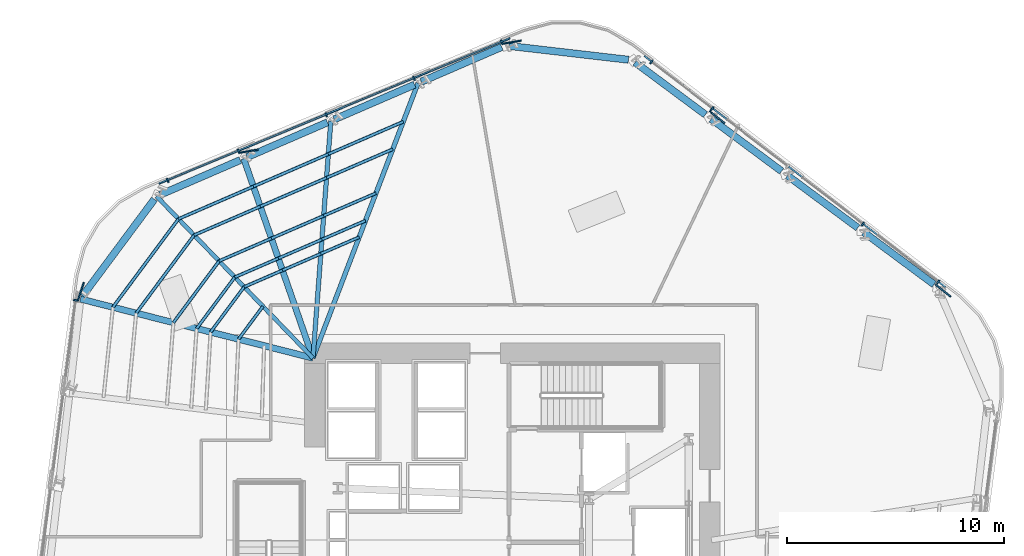
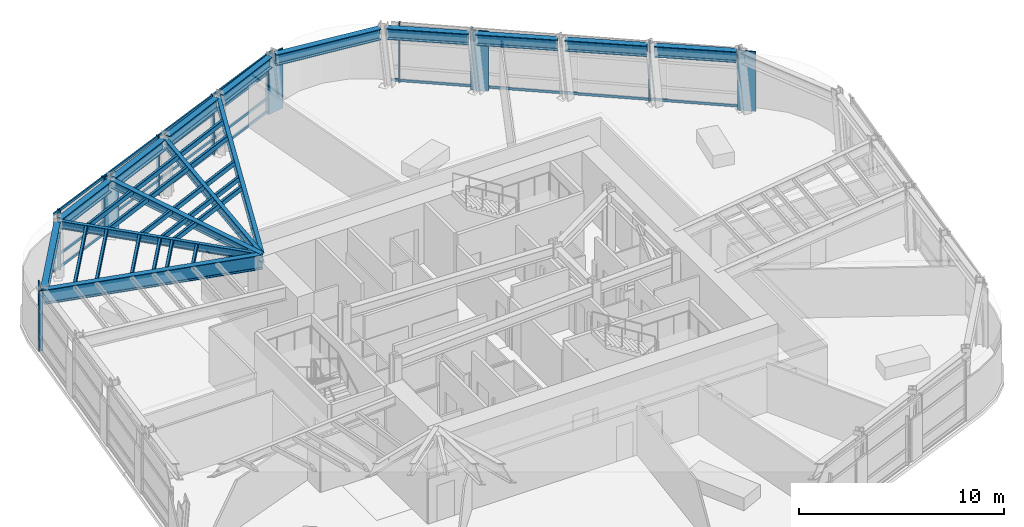
# One storey, part 6 of 18: 41 members, 15 beams, 3 elements without a shape of their own.
"""IFC4 building model written with IfcOpenShell, lengths in metres."""

from ifc_helpers import new_model, si_unit, direction, frame, origin, origin_2d, place, context, subcontext, project, spatial, rectangle, hollow_rectangle, i_section, extrude, material, layer, layer_set, material_profile, profile_set, type_object, element, aggregate, save


model = new_model("IFC4")

# Units and contexts
model_context = context("Model", 3, precision=1e-05, world=origin(), true_north=direction((0.0, 1.0)))
body_context = subcontext(model_context, "Body", "Model", "MODEL_VIEW")
ifc_project = project(units=[si_unit("LENGTHUNIT", "METRE"), si_unit("AREAUNIT", "SQUARE_METRE"), si_unit("VOLUMEUNIT", "CUBIC_METRE"), si_unit("PLANEANGLEUNIT", "RADIAN"), si_unit("MASSUNIT", "GRAM", prefix="KILO")], contexts=[model_context])

# Site, building, storey
site_placement = place(None, origin())
site = spatial("IfcSite", under=ifc_project, at=site_placement, CompositionType="ELEMENT")
building_placement = place(site_placement, origin())
building = spatial("IfcBuilding", under=site, at=building_placement, Name="Valkerne Bourse Tower", CompositionType="ELEMENT")
storey_placement = place(building_placement, frame((0.0, 0.0, 120.0)))
storey = spatial("IfcBuildingStorey", under=building, at=storey_placement, Name="L30", CompositionType="ELEMENT", Elevation=120.0)

# Beams
ifc_material_1 = material(Name="Steel ASTM A992", Category="steel")
ifc_material_profile_1 = material_profile(ifc_material_1, i_section(OverallWidth=0.1904296875, OverallDepth=0.457275390625, WebThickness=0.009033203125, FlangeThickness=0.014404296875, FilletRadius=0.01513671875, at=origin_2d()), Name="W18X50")
ifc_profile_set_1 = profile_set([ifc_material_profile_1], Name="Steel ASTM A992")
beam_type_1 = type_object("IfcBeamType", Name="BM-W18X50", PredefinedType="JOIST", material=ifc_profile_set_1)
beam_1_placement = place(storey_placement, frame((30.3798828125, 42.8720703125, 3.351318359375), z_axis=(0.694878757127, -0.719126910145, 0.0), x_axis=(0.719126910145, 0.694878757127, 0.0)))
element("IfcBeam", 1, at=beam_1_placement, inside=storey, type_object=beam_type_1, Name="L30 Radial Composite Floor Beam 09", PredefinedType="JOIST", context=body_context, shape_type="SweptSolid", body=[
    extrude(i_section(OverallWidth=0.1904296875, OverallDepth=0.457275390625, WebThickness=0.009033203125, FlangeThickness=0.014404296875, FilletRadius=0.01513671875, at=origin_2d()), origin(), (0.0, 0.0, 1.0), 10.390625),
])
ifc_material_profile_2 = material_profile(ifc_material_1, i_section(OverallWidth=0.279296875, OverallDepth=0.46240234375, WebThickness=0.0107421875, FlangeThickness=0.017333984375, FilletRadius=0.017822265625, at=origin_2d()), Name="W18X76")
ifc_profile_set_2 = profile_set([ifc_material_profile_2], Name="Steel ASTM A992")
beam_type_2 = type_object("IfcBeamType", Name="BM-W18X76", PredefinedType="BEAM", material=ifc_profile_set_2)
beam_2_placement = place(storey_placement, frame((34.402587890625, 44.61279296875, 3.348876953125), z_axis=(0.32788260233, -0.944718476103, 0.0), x_axis=(0.944718476103, 0.32788260233, 0.0)))
element("IfcBeam", 2, at=beam_2_placement, inside=storey, type_object=beam_type_2, Name="L30 Radial Composite Floor Beam 08", PredefinedType="BEAM", context=body_context, shape_type="SweptSolid", body=[
    extrude(i_section(OverallWidth=0.279296875, OverallDepth=0.46240234375, WebThickness=0.0107421875, FlangeThickness=0.017333984375, FilletRadius=0.017822265625, at=origin_2d()), origin(), (0.0, 0.0, 1.0), 9.751953125),
])
ifc_material_profile_3 = material_profile(ifc_material_1, i_section(OverallWidth=0.209228515625, OverallDepth=0.533447265625, WebThickness=0.01025390625, FlangeThickness=0.015625, FilletRadius=0.017822265625, at=origin_2d()), Name="W21X62")
ifc_profile_set_3 = profile_set([ifc_material_profile_3], Name="Steel ASTM A992")
beam_type_3 = type_object("IfcBeamType", Name="BM-W21X62", PredefinedType="JOIST", material=ifc_profile_set_3)
beam_3_placement = place(storey_placement, frame((38.425048828125, 46.353515625, 3.313232421875), z_axis=(-0.07510046829, -0.997175972265, 0.0), x_axis=(0.997175972265, -0.07510046829, 0.0)))
element("IfcBeam", 3, at=beam_3_placement, inside=storey, type_object=beam_type_3, Name="L30 Radial Composite Floor Beam 07", PredefinedType="JOIST", context=body_context, shape_type="SweptSolid", body=[
    extrude(i_section(OverallWidth=0.209228515625, OverallDepth=0.533447265625, WebThickness=0.01025390625, FlangeThickness=0.015625, FilletRadius=0.017822265625, at=origin_2d()), origin(), (0.0, 0.0, 1.0), 10.984619140625),
])
ifc_material_profile_4 = material_profile(ifc_material_1, i_section(OverallWidth=0.2138671875, OverallDepth=0.548583984375, WebThickness=0.0146484375, FlangeThickness=0.023681640625, FilletRadius=0.017822265625, at=origin_2d()), Name="W21X93")
ifc_profile_set_4 = profile_set([ifc_material_profile_4], Name="Steel ASTM A992")
beam_type_4 = type_object("IfcBeamType", Name="BM-W21X93", PredefinedType="BEAM", material=ifc_profile_set_4)
beam_4_placement = place(storey_placement, frame((42.447509765625, 48.093994140625, 3.3056640625), z_axis=(-0.356738629816, -0.934204233558, 0.0), x_axis=(0.934204233558, -0.356738629816, 0.0)))
element("IfcBeam", 4, at=beam_4_placement, inside=storey, type_object=beam_type_4, Name="L30 Radial Composite Floor Beam 06", PredefinedType="BEAM", context=body_context, shape_type="SweptSolid", body=[
    extrude(i_section(OverallWidth=0.2138671875, OverallDepth=0.548583984375, WebThickness=0.0146484375, FlangeThickness=0.023681640625, FilletRadius=0.017822265625, at=origin_2d()), origin(), (0.0, 0.0, 1.0), 13.588134765625),
])
ifc_material_profile_5 = material_profile(ifc_material_1, i_section(OverallWidth=0.330078125, OverallDepth=0.647705078125, WebThickness=0.0205078125, FlangeThickness=0.037109375, FilletRadius=0.020263671875, at=origin_2d()), Name="W24X192")
ifc_profile_set_5 = profile_set([ifc_material_profile_5], Name="Steel ASTM A992")
beam_type_5 = type_object("IfcBeamType", Name="BM-W24X192", PredefinedType="SPANDREL", material=ifc_profile_set_5)
beam_5_placement = place(storey_placement, frame((66.27392578125, 38.804443359375, 3.256103515625), z_axis=(-0.80281735116, 0.596225041974, 0.0), x_axis=(-0.596225041974, -0.80281735116, 0.0)))
element("IfcBeam", 5, at=beam_5_placement, inside=storey, type_object=beam_type_5, Name="L30 Hexagonal Spandrel Ring Beam 00", PredefinedType="SPANDREL", context=body_context, shape_type="SweptSolid", body=[
    extrude(i_section(OverallWidth=0.330078125, OverallDepth=0.647705078125, WebThickness=0.0205078125, FlangeThickness=0.037109375, FilletRadius=0.020263671875, at=origin_2d()), origin(), (0.0, 0.0, 1.0), 4.042724609375),
])
for number, where, z_axis, x_axis, name in (
    (6, (62.75537109375, 41.417724609375, 3.256103515625), (-0.8028388171, 0.596196136986, 0.0), (-0.596196136986, -0.8028388171, 0.0), "L30 Hexagonal Spandrel Ring Beam 01"),
    (7, (59.236572265625, 44.031005859375, 3.256103515625), (-0.8028388171, 0.596196136986, 0.0), (-0.596196136986, -0.8028388171, 0.0), "L30 Hexagonal Spandrel Ring Beam 02"),
    (8, (55.7177734375, 46.644287109375, 3.256103515625), (-0.8028388171, 0.596196136986, 0.0), (-0.596196136986, -0.8028388171, 0.0), "L30 Hexagonal Spandrel Ring Beam 03"),
):
    element("IfcBeam", number, at=place(storey_placement, frame(where, z_axis=z_axis, x_axis=x_axis)), inside=storey, type_object=beam_type_5, Name=name, PredefinedType="SPANDREL", context=body_context, shape_type="SweptSolid", body=[
        extrude(i_section(OverallWidth=0.330078125, OverallDepth=0.647705078125, WebThickness=0.0205078125, FlangeThickness=0.037109375, FilletRadius=0.020263671875, at=origin_2d()), origin(), (0.0, 0.0, 1.0), 4.04296875),
    ])
beam_6_placement = place(storey_placement, frame((52.16650390625, 49.175537109375, 3.256103515625), z_axis=(-0.993371027611, 0.114952170502, 0.0), x_axis=(-0.114952170502, -0.993371027611, 0.0)))
element("IfcBeam", 9, at=beam_6_placement, inside=storey, type_object=beam_type_5, Name="L30 Hexagonal Spandrel Ring Beam 04", PredefinedType="SPANDREL", context=body_context, shape_type="SweptSolid", body=[
    extrude(i_section(OverallWidth=0.330078125, OverallDepth=0.647705078125, WebThickness=0.0205078125, FlangeThickness=0.037109375, FilletRadius=0.020263671875, at=origin_2d()), origin(), (0.0, 0.0, 1.0), 5.564453125),
])
beam_7_placement = place(storey_placement, frame((46.314208984375, 49.76708984375, 3.256103515625), z_axis=(-0.917780916296, -0.397087131098, 0.0), x_axis=(0.397087131098, -0.917780916296, 0.0)))
element("IfcBeam", 10, at=beam_7_placement, inside=storey, type_object=beam_type_5, Name="L30 Hexagonal Spandrel Ring Beam 05", PredefinedType="SPANDREL", context=body_context, shape_type="SweptSolid", body=[
    extrude(i_section(OverallWidth=0.330078125, OverallDepth=0.647705078125, WebThickness=0.0205078125, FlangeThickness=0.037109375, FilletRadius=0.020263671875, at=origin_2d()), origin(), (0.0, 0.0, 1.0), 4.043212890625),
])
for number, where, z_axis, x_axis, name in (
    (11, (42.29150390625, 48.026611328125, 3.256103515625), (-0.917749384733, -0.397160001539, 0.0), (0.397160001539, -0.917749384733, 0.0), "L30 Hexagonal Spandrel Ring Beam 06"),
    (12, (38.26904296875, 46.285888671875, 3.256103515625), (-0.917749384733, -0.397160001539, 0.0), (0.397160001539, -0.917749384733, 0.0), "L30 Hexagonal Spandrel Ring Beam 07"),
):
    element("IfcBeam", number, at=place(storey_placement, frame(where, z_axis=z_axis, x_axis=x_axis)), inside=storey, type_object=beam_type_5, Name=name, PredefinedType="SPANDREL", context=body_context, shape_type="SweptSolid", body=[
        extrude(i_section(OverallWidth=0.330078125, OverallDepth=0.647705078125, WebThickness=0.0205078125, FlangeThickness=0.037109375, FilletRadius=0.020263671875, at=origin_2d()), origin(), (0.0, 0.0, 1.0), 4.04296875),
    ])
beam_8_placement = place(storey_placement, frame((34.24658203125, 44.545166015625, 3.256103515625), z_axis=(-0.917758909022, -0.397137992278, 0.0), x_axis=(0.397137992278, -0.917758909022, 0.0)))
element("IfcBeam", 13, at=beam_8_placement, inside=storey, type_object=beam_type_5, Name="L30 Hexagonal Spandrel Ring Beam 08", PredefinedType="SPANDREL", context=body_context, shape_type="SweptSolid", body=[
    extrude(i_section(OverallWidth=0.330078125, OverallDepth=0.647705078125, WebThickness=0.0205078125, FlangeThickness=0.037109375, FilletRadius=0.020263671875, at=origin_2d()), origin(), (0.0, 0.0, 1.0), 4.043212890625),
])
beam_9_placement = place(storey_placement, frame((30.278564453125, 42.735595703125, 3.256103515625), z_axis=(-0.59621655894, -0.80282365115, 0.0), x_axis=(0.80282365115, -0.59621655894, 0.0)))
element("IfcBeam", 14, at=beam_9_placement, inside=storey, type_object=beam_type_5, Name="L30 Hexagonal Spandrel Ring Beam 09", PredefinedType="SPANDREL", context=body_context, shape_type="SweptSolid", body=[
    extrude(i_section(OverallWidth=0.330078125, OverallDepth=0.647705078125, WebThickness=0.0205078125, FlangeThickness=0.037109375, FilletRadius=0.020263671875, at=origin_2d()), origin(), (0.0, 0.0, 1.0), 5.564453125),
])
ifc_material_profile_6 = material_profile(ifc_material_1, i_section(OverallWidth=0.2919921875, OverallDepth=0.8583984375, WebThickness=0.01708984375, FlangeThickness=0.031005859375, FilletRadius=0.025390625, at=origin_2d()), Name="W33X169")
ifc_profile_set_6 = profile_set([ifc_material_profile_6], Name="Steel ASTM A992")
beam_type_6 = type_object("IfcBeamType", Name="BM-W33X169", PredefinedType="BEAM", material=ifc_profile_set_6)
beam_10_placement = place(storey_placement, frame((26.859619140625, 38.131591796875, 3.15087890625), z_axis=(0.969145700857, -0.246488560609, 0.0), x_axis=(0.246488560609, 0.969145700857, 0.0)))
element("IfcBeam", 15, at=beam_10_placement, inside=storey, type_object=beam_type_6, Name="L30 Radial Composite Floor Beam 10", PredefinedType="BEAM", context=body_context, shape_type="SweptSolid", body=[
    extrude(i_section(OverallWidth=0.2919921875, OverallDepth=0.8583984375, WebThickness=0.01708984375, FlangeThickness=0.031005859375, FilletRadius=0.025390625, at=origin_2d()), origin(), (0.0, 0.0, 1.0), 11.08251953125),
])

# Curtain wall, members
ifc_material_2 = material(Name="Aluminium AA 6063-T6", Category="aluminium")
ifc_layer = layer(ifc_material_2, 0.22998046875)
ifc_layer_set = layer_set([ifc_layer], Name="Aluminium AA 6063-T6")
curtain_wall_type = type_object("IfcCurtainWallType", Name="CW-02", PredefinedType="NOTDEFINED", material=ifc_layer_set)
curtain_wall_1_placement = place(storey_placement, origin())
curtain_wall_1 = element("IfcCurtainWall", 16, at=curtain_wall_1_placement, inside=storey, type_object=curtain_wall_type, Name="L30 Hexagonal Stick Curtain Wall Face 1", PredefinedType="NOTDEFINED")
ifc_material_profile_7 = material_profile(ifc_material_2, rectangle(XDim=0.074951171875, YDim=0.199951171875, at=origin_2d()), Name="CWM-75X200")
ifc_profile_set_7 = profile_set([ifc_material_profile_7], Name="Aluminium AA 6063-T6")
member_type_1 = type_object("IfcMemberType", Name="CW-MUL-220X75", PredefinedType="MULLION", material=ifc_profile_set_7)
member_1_placement = place(storey_placement, frame((66.4658203125, 38.9189453125, 0.0), z_axis=(0.0, 0.0, 1.0), x_axis=(-0.793347764857, 0.608768694987, 0.0)))
member_1 = element("IfcMember", 17, at=member_1_placement, type_object=member_type_1, Name="CW-L30-F1 Jamb Mullion 00A", PredefinedType="MULLION", context=body_context, shape_type="SweptSolid", body=[
    extrude(rectangle(XDim=0.074951171875, YDim=0.199951171875, at=origin_2d()), origin(), (0.0, 0.0, 1.0), 3.580078125),
])
member_2_placement = place(storey_placement, frame((62.988525390625, 41.587158203125, 0.0), z_axis=(0.0, 0.0, 1.0), x_axis=(-0.793356220117, 0.608757675929, 0.0)))
member_2 = element("IfcMember", 18, at=member_2_placement, type_object=member_type_1, Name="CW-L30-F1 Jamb Mullion 01A", PredefinedType="MULLION", context=body_context, shape_type="SweptSolid", body=[
    extrude(rectangle(XDim=0.074951171875, YDim=0.199951171875, at=origin_2d()), origin(), (0.0, 0.0, 1.0), 3.580078125),
])
member_3_placement = place(storey_placement, frame((56.033935546875, 46.923583984375, 0.0), z_axis=(0.0, 0.0, 1.0), x_axis=(-0.793347764857, 0.608768694987, 0.0)))
member_3 = element("IfcMember", 19, at=member_3_placement, type_object=member_type_1, Name="CW-L30-F1 Jamb Mullion 03A", PredefinedType="MULLION", context=body_context, shape_type="SweptSolid", body=[
    extrude(rectangle(XDim=0.074951171875, YDim=0.199951171875, at=origin_2d()), origin(), (0.0, 0.0, 1.0), 3.580078125),
])
member_4_placement = place(storey_placement, frame((53.22314453125, 49.08056640625, 0.0), z_axis=(0.0, 0.0, 1.0), x_axis=(-0.793347764857, 0.608768694987, 0.0)))
member_4 = element("IfcMember", 20, at=member_4_placement, type_object=member_type_1, Name="CW-L30-F1 Jamb Mullion 03B", PredefinedType="MULLION", context=body_context, shape_type="SweptSolid", body=[
    extrude(rectangle(XDim=0.074951171875, YDim=0.199951171875, at=origin_2d()), origin(), (0.0, 0.0, 1.0), 3.580078125),
])

curtain_wall_2_placement = place(storey_placement, origin())
curtain_wall_2 = element("IfcCurtainWall", 21, at=curtain_wall_2_placement, inside=storey, type_object=curtain_wall_type, Name="L30 Hexagonal Stick Curtain Wall Face 2", PredefinedType="NOTDEFINED")
member_5_placement = place(storey_placement, frame((46.310791015625, 49.990478515625, 0.0), z_axis=(0.0, 0.0, 1.0), x_axis=(-0.923880855352, -0.382680238729, 0.0)))
member_5 = element("IfcMember", 22, at=member_5_placement, type_object=member_type_1, Name="CW-L30-F2 Jamb Mullion 00A", PredefinedType="MULLION", context=body_context, shape_type="SweptSolid", body=[
    extrude(rectangle(XDim=0.074951171875, YDim=0.199951171875, at=origin_2d()), origin(), (0.0, 0.0, 1.0), 3.580078125),
])
member_6_placement = place(storey_placement, frame((42.26123046875, 48.313232421875, 0.0), z_axis=(0.0, 0.0, 1.0), x_axis=(-0.923877514085, -0.38268830524, 0.0)))
member_6 = element("IfcMember", 23, at=member_6_placement, type_object=member_type_1, Name="CW-L30-F2 Jamb Mullion 01A", PredefinedType="MULLION", context=body_context, shape_type="SweptSolid", body=[
    extrude(rectangle(XDim=0.074951171875, YDim=0.199951171875, at=origin_2d()), origin(), (0.0, 0.0, 1.0), 3.580078125),
])
member_7_placement = place(storey_placement, frame((38.2119140625, 46.635986328125, 0.0), z_axis=(0.0, 0.0, 1.0), x_axis=(-0.923880855352, -0.382680238729, 0.0)))
member_7 = element("IfcMember", 24, at=member_7_placement, type_object=member_type_1, Name="CW-L30-F2 Jamb Mullion 02A", PredefinedType="MULLION", context=body_context, shape_type="SweptSolid", body=[
    extrude(rectangle(XDim=0.074951171875, YDim=0.199951171875, at=origin_2d()), origin(), (0.0, 0.0, 1.0), 3.580078125),
])
member_8_placement = place(storey_placement, frame((34.16259765625, 44.95849609375, 0.0), z_axis=(0.0, 0.0, 1.0), x_axis=(-0.923877514085, -0.38268830524, 0.0)))
member_8 = element("IfcMember", 25, at=member_8_placement, type_object=member_type_1, Name="CW-L30-F2 Jamb Mullion 03A", PredefinedType="MULLION", context=body_context, shape_type="SweptSolid", body=[
    extrude(rectangle(XDim=0.074951171875, YDim=0.199951171875, at=origin_2d()), origin(), (0.0, 0.0, 1.0), 3.580078125),
])
member_9_placement = place(storey_placement, frame((30.889404296875, 43.602783203125, 0.0), z_axis=(0.0, 0.0, 1.0), x_axis=(-0.923877514085, -0.38268830524, 0.0)))
member_9 = element("IfcMember", 26, at=member_9_placement, type_object=member_type_1, Name="CW-L30-F2 Jamb Mullion 03B", PredefinedType="MULLION", context=body_context, shape_type="SweptSolid", body=[
    extrude(rectangle(XDim=0.074951171875, YDim=0.199951171875, at=origin_2d()), origin(), (0.0, 0.0, 1.0), 3.580078125),
])

# Curtain wall, member
curtain_wall_3_placement = place(storey_placement, origin())
curtain_wall_3 = element("IfcCurtainWall", 27, at=curtain_wall_3_placement, inside=storey, type_object=curtain_wall_type, Name="L30 Hexagonal Stick Curtain Wall Face 3", PredefinedType="NOTDEFINED")
member_10_placement = place(storey_placement, frame((26.64501953125, 38.071533203125, 0.0), z_axis=(0.0, 0.0, 1.0), x_axis=(-0.130527105368, -0.991444741155, 0.0)))
member_10 = element("IfcMember", 28, at=member_10_placement, type_object=member_type_1, Name="CW-L30-F3 Jamb Mullion 00A", PredefinedType="MULLION", context=body_context, shape_type="SweptSolid", body=[
    extrude(rectangle(XDim=0.074951171875, YDim=0.199951171875, at=origin_2d()), origin(), (0.0, 0.0, 1.0), 3.580078125),
])
aggregate(curtain_wall_3, [member_10])

# Member
ifc_material_profile_8 = material_profile(ifc_material_2, rectangle(XDim=0.074951171875, YDim=0.14990234375, at=origin_2d()), Name="CWT-75X150")
ifc_profile_set_8 = profile_set([ifc_material_profile_8], Name="Aluminium AA 6063-T6")
member_type_2 = type_object("IfcMemberType", Name="CW-TRN-180X65", PredefinedType="USERDEFINED", material=ifc_profile_set_8)
member_11_placement = place(storey_placement, frame((66.81103515625, 38.67919921875, 0.1201171875), z_axis=(-0.793349209689, 0.608766812076, 0.0), x_axis=(-0.608766812076, -0.793349209689, 0.0)))
member_11 = element("IfcMember", 29, at=member_11_placement, type_object=member_type_2, Name="CW-L30-F1 Continuous Face Transom 1", ObjectType="TRANSOM", PredefinedType="USERDEFINED", context=body_context, shape_type="SweptSolid", body=[
    extrude(rectangle(XDim=0.074951171875, YDim=0.14990234375, at=origin_2d()), origin(), (0.0, 0.0, 1.0), 17.531982421875),
])

aggregate(curtain_wall_1, [member_11, member_1, member_2, member_3, member_4])

member_12_placement = place(storey_placement, frame((46.69091796875, 50.169677734375, 0.1201171875), z_axis=(-0.923877487217, -0.382688370105, 0.0), x_axis=(0.382688370105, -0.923877487217, 0.0)))
member_12 = element("IfcMember", 30, at=member_12_placement, type_object=member_type_2, Name="CW-L30-F2 Continuous Face Transom 1", ObjectType="TRANSOM", PredefinedType="USERDEFINED", context=body_context, shape_type="SweptSolid", body=[
    extrude(rectangle(XDim=0.074951171875, YDim=0.14990234375, at=origin_2d()), origin(), (0.0, 0.0, 1.0), 17.53173828125),
])

member_13_placement = place(storey_placement, frame((46.69091796875, 50.169677734375, 0.89990234375), z_axis=(-0.923877487217, -0.382688370105, 0.0), x_axis=(0.382688370105, -0.923877487217, 0.0)))
member_13 = element("IfcMember", 31, at=member_13_placement, type_object=member_type_2, Name="CW-L30-F2 Continuous Face Transom 2", ObjectType="TRANSOM", PredefinedType="USERDEFINED", context=body_context, shape_type="SweptSolid", body=[
    extrude(rectangle(XDim=0.074951171875, YDim=0.14990234375, at=origin_2d()), origin(), (0.0, 0.0, 1.0), 17.53173828125),
])

member_14_placement = place(storey_placement, frame((46.69091796875, 50.169677734375, 2.39990234375), z_axis=(-0.923877487217, -0.382688370105, 0.0), x_axis=(0.382688370105, -0.923877487217, 0.0)))
member_14 = element("IfcMember", 32, at=member_14_placement, type_object=member_type_2, Name="CW-L30-F2 Continuous Face Transom 3", ObjectType="TRANSOM", PredefinedType="USERDEFINED", context=body_context, shape_type="SweptSolid", body=[
    extrude(rectangle(XDim=0.074951171875, YDim=0.14990234375, at=origin_2d()), origin(), (0.0, 0.0, 1.0), 17.53173828125),
])

member_15_placement = place(storey_placement, frame((46.69091796875, 50.169677734375, 3.5), z_axis=(-0.923877487217, -0.382688370105, 0.0), x_axis=(0.382688370105, -0.923877487217, 0.0)))
member_15 = element("IfcMember", 33, at=member_15_placement, type_object=member_type_2, Name="CW-L30-F2 Continuous Face Transom 4", ObjectType="TRANSOM", PredefinedType="USERDEFINED", context=body_context, shape_type="SweptSolid", body=[
    extrude(rectangle(XDim=0.074951171875, YDim=0.14990234375, at=origin_2d()), origin(), (0.0, 0.0, 1.0), 17.53173828125),
])

aggregate(curtain_wall_2, [member_12, member_13, member_14, member_15, member_5, member_6, member_7, member_8, member_9])

# Members
ifc_material_3 = material(Name="Bronze Anodised Aluminium AA 6063-T6", Category="aluminium")
ifc_material_profile_9 = material_profile(ifc_material_3, rectangle(XDim=0.070068359375, YDim=0.89990234375, at=origin_2d()), Name="FIN-70X900")
ifc_profile_set_9 = profile_set([ifc_material_profile_9], Name="Bronze Anodised Aluminium AA 6063-T6")
member_type_3 = type_object("IfcMemberType", Name="FIN-SOLAR-900", PredefinedType="USERDEFINED", material=ifc_profile_set_9)
for number, where, z_axis, x_axis, name in (
    (34, (66.689208984375, 38.5205078125, 0.00390625), (0.0, 0.0, 1.0), (0.633755784754, 0.773533195985, 0.0), "L30 Bronze Anodised Solar Fin F1-00"),
    (35, (56.257568359375, 46.525146484375, 0.00390625), (0.0, 0.0, 1.0), (0.633755784754, 0.773533195985, 0.0), "L30 Bronze Anodised Solar Fin F1-03"),
    (36, (46.767578125, 49.98486328125, 0.00390625), (0.0, 0.0, 1.0), (-0.166175130831, 0.986096255897, 0.0), "L30 Bronze Anodised Solar Fin F2-00"),
    (37, (34.619384765625, 44.952880859375, 0.00390625), (0.0, 0.0, 1.0), (-0.166182935501, 0.986094940636, 0.0), "L30 Bronze Anodised Solar Fin F2-03"),
    (38, (26.87841796875, 38.46435546875, 0.00390625), (0.0, 0.0, 1.0), (-0.947729393579, 0.319075220828, 0.0), "L30 Bronze Anodised Solar Fin F3-00"),
):
    element("IfcMember", number, at=place(storey_placement, frame(where, z_axis=z_axis, x_axis=x_axis)), inside=storey, type_object=member_type_3, Name=name, ObjectType="SOLAR_FIN", PredefinedType="USERDEFINED", context=body_context, shape_type="SweptSolid", body=[
        extrude(rectangle(XDim=0.070068359375, YDim=0.89990234375, at=origin_2d()), origin(), (0.0, 0.0, 1.0), 3.572021484375),
    ])
ifc_material_4 = material(Name="Steel ASTM A500 Grade C", Category="steel")
ifc_material_profile_10 = material_profile(ifc_material_4, hollow_rectangle(XDim=0.14990234375, YDim=0.300048828125, WallThickness=0.012451171875, OuterFilletRadius=0.02490234375, at=origin_2d()), Name="HSS300X150X12.5")
ifc_profile_set_10 = profile_set([ifc_material_profile_10], Name="Steel ASTM A500 Grade C")
member_type_4 = type_object("IfcMemberType", Name="MBR-HSS300X150X12.5", PredefinedType="PURLIN", material=ifc_profile_set_10)
member_16_placement = place(storey_placement, frame((35.28955078125, 37.791015625, 3.419921875), z_axis=(-0.596209799884, -0.802828670715, 0.0), x_axis=(0.802828670715, -0.596209799884, 0.0)))
element("IfcMember", 39, at=member_16_placement, inside=storey, type_object=member_type_4, Name="L30 Secondary Composite Floor Purlin I-09", PredefinedType="PURLIN", context=body_context, shape_type="SweptSolid", body=[
    extrude(hollow_rectangle(XDim=0.14990234375, YDim=0.300048828125, WallThickness=0.012451171875, OuterFilletRadius=0.02490234375, at=origin_2d()), origin(), (0.0, 0.0, 1.0), 1.889404296875),
])
member_17_placement = place(storey_placement, frame((39.73291015625, 40.9853515625, 3.419921875), z_axis=(-0.917771011723, -0.39711002259, 0.0), x_axis=(0.39711002259, -0.917771011723, 0.0)))
element("IfcMember", 40, at=member_17_placement, inside=storey, type_object=member_type_4, Name="L30 Secondary Composite Floor Purlin K-06", PredefinedType="PURLIN", context=body_context, shape_type="SweptSolid", body=[
    extrude(hollow_rectangle(XDim=0.14990234375, YDim=0.300048828125, WallThickness=0.012451171875, OuterFilletRadius=0.02490234375, at=origin_2d()), origin(), (0.0, 0.0, 1.0), 1.9287109375),
])
member_18_placement = place(storey_placement, frame((37.962890625, 40.219482421875, 3.419921875), z_axis=(-0.917751045601, -0.397156163616, 0.0), x_axis=(0.397156163616, -0.917751045601, 0.0)))
element("IfcMember", 41, at=member_18_placement, inside=storey, type_object=member_type_4, Name="L30 Secondary Composite Floor Purlin K-07", PredefinedType="PURLIN", context=body_context, shape_type="SweptSolid", body=[
    extrude(hollow_rectangle(XDim=0.14990234375, YDim=0.300048828125, WallThickness=0.012451171875, OuterFilletRadius=0.02490234375, at=origin_2d()), origin(), (0.0, 0.0, 1.0), 1.928466796875),
])
member_19_placement = place(storey_placement, frame((36.193115234375, 39.45361328125, 3.419921875), z_axis=(-0.917771011723, -0.39711002259, 0.0), x_axis=(0.39711002259, -0.917771011723, 0.0)))
element("IfcMember", 42, at=member_19_placement, inside=storey, type_object=member_type_4, Name="L30 Secondary Composite Floor Purlin K-08", PredefinedType="PURLIN", context=body_context, shape_type="SweptSolid", body=[
    extrude(hollow_rectangle(XDim=0.14990234375, YDim=0.300048828125, WallThickness=0.012451171875, OuterFilletRadius=0.02490234375, at=origin_2d()), origin(), (0.0, 0.0, 1.0), 1.9287109375),
])
member_20_placement = place(storey_placement, frame((34.423095703125, 38.687744140625, 3.419921875), z_axis=(-0.596144054812, -0.802877491223, 0.0), x_axis=(0.802877491223, -0.596144054812, 0.0)))
element("IfcMember", 43, at=member_20_placement, inside=storey, type_object=member_type_4, Name="L30 Secondary Composite Floor Purlin K-09", PredefinedType="PURLIN", context=body_context, shape_type="SweptSolid", body=[
    extrude(hollow_rectangle(XDim=0.14990234375, YDim=0.300048828125, WallThickness=0.012451171875, OuterFilletRadius=0.02490234375, at=origin_2d()), origin(), (0.0, 0.0, 1.0), 2.59814453125),
])
member_21_placement = place(storey_placement, frame((40.023681640625, 41.7470703125, 3.419921875), z_axis=(-0.917733028115, -0.397197795949, 0.0), x_axis=(0.397197795949, -0.917733028115, 0.0)))
element("IfcMember", 44, at=member_21_placement, inside=storey, type_object=member_type_4, Name="L30 Secondary Composite Floor Purlin M-06", PredefinedType="PURLIN", context=body_context, shape_type="SweptSolid", body=[
    extrude(hollow_rectangle(XDim=0.14990234375, YDim=0.300048828125, WallThickness=0.012451171875, OuterFilletRadius=0.02490234375, at=origin_2d()), origin(), (0.0, 0.0, 1.0), 2.191162109375),
])
member_22_placement = place(storey_placement, frame((38.0126953125, 40.876708984375, 3.419921875), z_axis=(-0.917768172646, -0.397116583989, 0.0), x_axis=(0.397116583989, -0.917768172646, 0.0)))
element("IfcMember", 45, at=member_22_placement, inside=storey, type_object=member_type_4, Name="L30 Secondary Composite Floor Purlin M-07", PredefinedType="PURLIN", context=body_context, shape_type="SweptSolid", body=[
    extrude(hollow_rectangle(XDim=0.14990234375, YDim=0.300048828125, WallThickness=0.012451171875, OuterFilletRadius=0.02490234375, at=origin_2d()), origin(), (0.0, 0.0, 1.0), 2.191650390625),
])
member_23_placement = place(storey_placement, frame((36.001220703125, 40.00634765625, 3.419921875), z_axis=(-0.917750603075, -0.397157186206, 0.0), x_axis=(0.397157186206, -0.917750603075, 0.0)))
element("IfcMember", 46, at=member_23_placement, inside=storey, type_object=member_type_4, Name="L30 Secondary Composite Floor Purlin M-08", PredefinedType="PURLIN", context=body_context, shape_type="SweptSolid", body=[
    extrude(hollow_rectangle(XDim=0.14990234375, YDim=0.300048828125, WallThickness=0.012451171875, OuterFilletRadius=0.02490234375, at=origin_2d()), origin(), (0.0, 0.0, 1.0), 2.19140625),
])
member_24_placement = place(storey_placement, frame((33.989990234375, 39.135986328125, 3.419921875), z_axis=(-0.596235690426, -0.802809442809, 0.0), x_axis=(0.802809442809, -0.596235690426, 0.0)))
element("IfcMember", 47, at=member_24_placement, inside=storey, type_object=member_type_4, Name="L30 Secondary Composite Floor Purlin M-09", PredefinedType="PURLIN", context=body_context, shape_type="SweptSolid", body=[
    extrude(hollow_rectangle(XDim=0.14990234375, YDim=0.300048828125, WallThickness=0.012451171875, OuterFilletRadius=0.02490234375, at=origin_2d()), origin(), (0.0, 0.0, 1.0), 2.952392578125),
])
for number, where, z_axis, x_axis, name in (
    (48, (41.2841796875, 45.047607421875, 3.419921875), (-0.917748034789, -0.397163120949, 0.0), (0.397163120949, -0.917748034789, 0.0), "L30 Secondary Composite Floor Purlin O-06"),
    (49, (38.22705078125, 43.724609375, 3.419921875), (-0.917748034789, -0.397163120949, 0.0), (0.397163120949, -0.917748034789, 0.0), "L30 Secondary Composite Floor Purlin O-07"),
    (50, (35.169921875, 42.401611328125, 3.419921875), (-0.917748034789, -0.397163120949, 0.0), (0.397163120949, -0.917748034789, 0.0), "L30 Secondary Composite Floor Purlin O-08"),
):
    element("IfcMember", number, at=place(storey_placement, frame(where, z_axis=z_axis, x_axis=x_axis)), inside=storey, type_object=member_type_4, Name=name, PredefinedType="PURLIN", context=body_context, shape_type="SweptSolid", body=[
        extrude(hollow_rectangle(XDim=0.14990234375, YDim=0.300048828125, WallThickness=0.012451171875, OuterFilletRadius=0.02490234375, at=origin_2d()), origin(), (0.0, 0.0, 1.0), 3.3310546875),
    ])
member_25_placement = place(storey_placement, frame((32.11279296875, 41.07861328125, 3.419921875), z_axis=(-0.596232844216, -0.802811556642, 0.0), x_axis=(0.802811556642, -0.596232844216, 0.0)))
element("IfcMember", 51, at=member_25_placement, inside=storey, type_object=member_type_4, Name="L30 Secondary Composite Floor Purlin O-09", PredefinedType="PURLIN", context=body_context, shape_type="SweptSolid", body=[
    extrude(hollow_rectangle(XDim=0.14990234375, YDim=0.300048828125, WallThickness=0.012451171875, OuterFilletRadius=0.02490234375, at=origin_2d()), origin(), (0.0, 0.0, 1.0), 4.4873046875),
])
member_26_placement = place(storey_placement, frame((40.508544921875, 43.0166015625, 3.419921875), z_axis=(-0.917707972734, -0.397255681874, 0.0), x_axis=(0.397255681874, -0.917707972734, 0.0)))
element("IfcMember", 52, at=member_26_placement, inside=storey, type_object=member_type_4, Name="L30 Secondary Composite Floor Purlin Z-06", PredefinedType="PURLIN", context=body_context, shape_type="SweptSolid", body=[
    extrude(hollow_rectangle(XDim=0.14990234375, YDim=0.300048828125, WallThickness=0.012451171875, OuterFilletRadius=0.02490234375, at=origin_2d()), origin(), (0.0, 0.0, 1.0), 2.629638671875),
])
member_27_placement = place(storey_placement, frame((38.09521484375, 41.971923828125, 3.419921875), z_axis=(-0.917771100383, -0.397109817684, 0.0), x_axis=(0.397109817684, -0.917771100383, 0.0)))
element("IfcMember", 53, at=member_27_placement, inside=storey, type_object=member_type_4, Name="L30 Secondary Composite Floor Purlin Z-07", PredefinedType="PURLIN", context=body_context, shape_type="SweptSolid", body=[
    extrude(hollow_rectangle(XDim=0.14990234375, YDim=0.300048828125, WallThickness=0.012451171875, OuterFilletRadius=0.02490234375, at=origin_2d()), origin(), (0.0, 0.0, 1.0), 2.630126953125),
])
member_28_placement = place(storey_placement, frame((35.681396484375, 40.927490234375, 3.419921875), z_axis=(-0.917775655638, -0.397099289748, 0.0), x_axis=(0.397099289748, -0.917775655638, 0.0)))
element("IfcMember", 54, at=member_28_placement, inside=storey, type_object=member_type_4, Name="L30 Secondary Composite Floor Purlin Z-08", PredefinedType="PURLIN", context=body_context, shape_type="SweptSolid", body=[
    extrude(hollow_rectangle(XDim=0.14990234375, YDim=0.300048828125, WallThickness=0.012451171875, OuterFilletRadius=0.02490234375, at=origin_2d()), origin(), (0.0, 0.0, 1.0), 2.629638671875),
])
member_29_placement = place(storey_placement, frame((33.26806640625, 39.88330078125, 3.419921875), z_axis=(-0.596222496169, -0.802819241836, 0.0), x_axis=(0.802819241836, -0.596222496169, 0.0)))
element("IfcMember", 55, at=member_29_placement, inside=storey, type_object=member_type_4, Name="L30 Secondary Composite Floor Purlin Z-09", PredefinedType="PURLIN", context=body_context, shape_type="SweptSolid", body=[
    extrude(hollow_rectangle(XDim=0.14990234375, YDim=0.300048828125, WallThickness=0.012451171875, OuterFilletRadius=0.02490234375, at=origin_2d()), origin(), (0.0, 0.0, 1.0), 3.542724609375),
])
for number, where, z_axis, x_axis, name in (
    (56, (41.768798828125, 46.31689453125, 3.419921875), (-0.917742203192, -0.397176596088, 0.0), (0.397176596088, -0.917742203192, 0.0), "L30 Secondary Composite Floor Purlin T-06"),
    (57, (38.3095703125, 44.81982421875, 3.419921875), (-0.91777602577, -0.397098434298, 0.0), (0.397098434298, -0.91777602577, 0.0), "L30 Secondary Composite Floor Purlin T-07"),
    (58, (34.85009765625, 43.322998046875, 3.419921875), (-0.917742203192, -0.397176596088, 0.0), (0.397176596088, -0.917742203192, 0.0), "L30 Secondary Composite Floor Purlin T-08"),
):
    element("IfcMember", number, at=place(storey_placement, frame(where, z_axis=z_axis, x_axis=x_axis)), inside=storey, type_object=member_type_4, Name=name, PredefinedType="PURLIN", context=body_context, shape_type="SweptSolid", body=[
        extrude(hollow_rectangle(XDim=0.14990234375, YDim=0.300048828125, WallThickness=0.012451171875, OuterFilletRadius=0.02490234375, at=origin_2d()), origin(), (0.0, 0.0, 1.0), 3.769287109375),
    ])
member_30_placement = place(storey_placement, frame((31.390869140625, 41.825927734375, 3.419921875), z_axis=(-0.596223969742, -0.802818147468, 0.0), x_axis=(0.802818147468, -0.596223969742, 0.0)))
element("IfcMember", 59, at=member_30_placement, inside=storey, type_object=member_type_4, Name="L30 Secondary Composite Floor Purlin T-09", PredefinedType="PURLIN", context=body_context, shape_type="SweptSolid", body=[
    extrude(hollow_rectangle(XDim=0.14990234375, YDim=0.300048828125, WallThickness=0.012451171875, OuterFilletRadius=0.02490234375, at=origin_2d()), origin(), (0.0, 0.0, 1.0), 5.077880859375),
])

save(model, "model.ifc")
